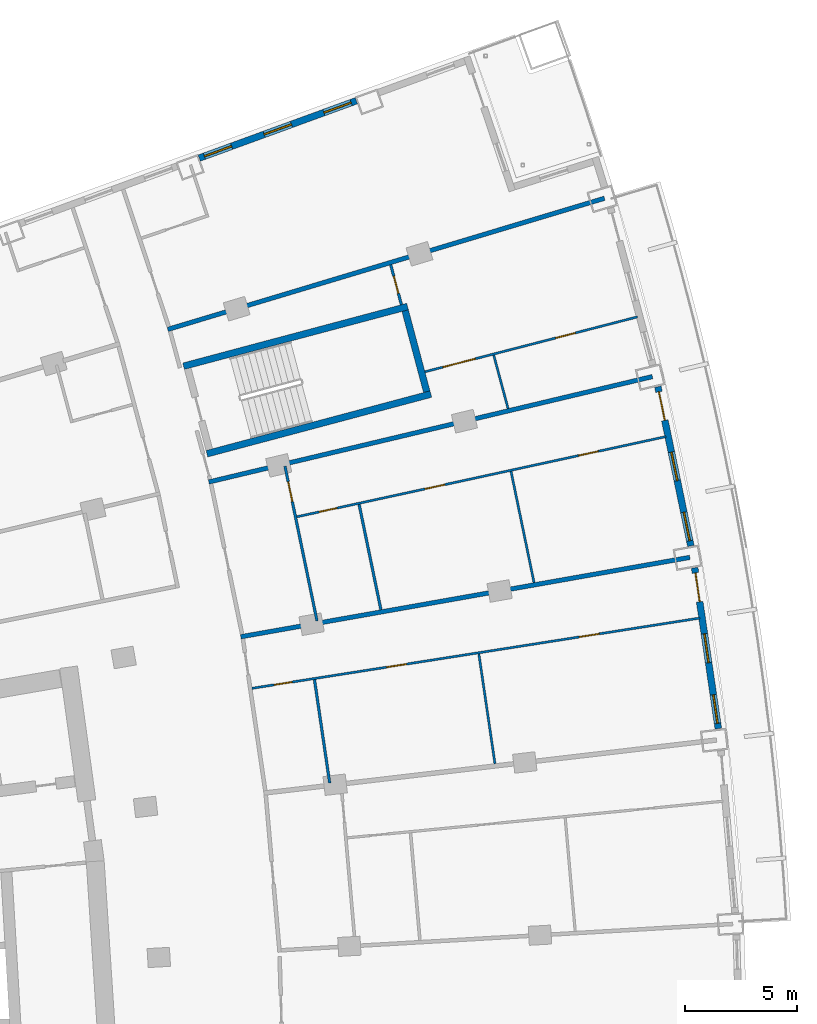
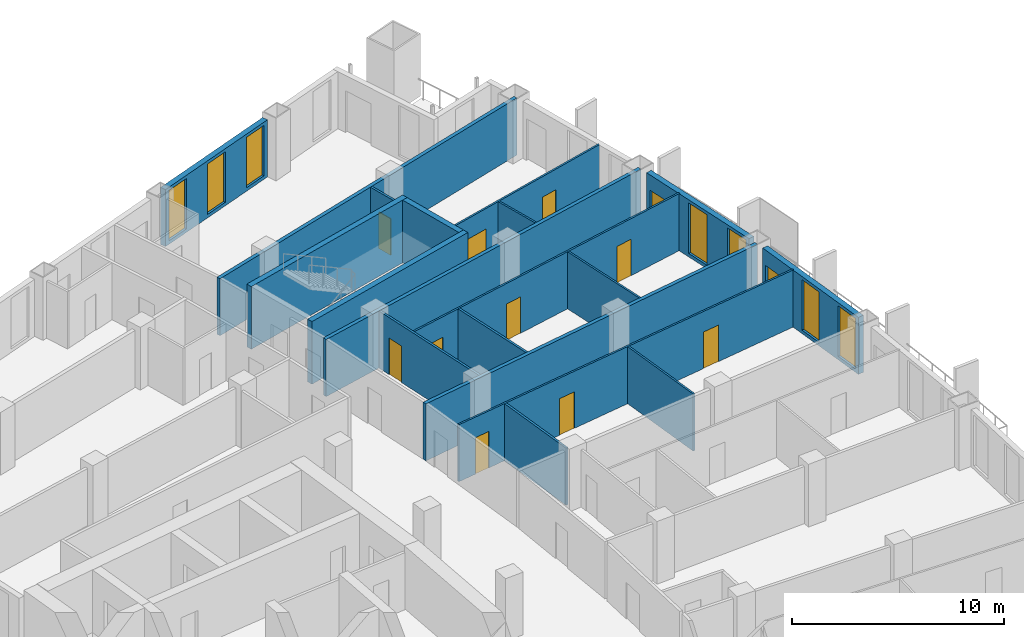
# One storey, part 20 of 24: 19 walls, 12 doors, 7 windows, 19 openings.
"""IFC4 building model written with IfcOpenShell, lengths in metres."""

from ifc_helpers import new_model, si_unit, direction, frame, frame_2d, origin, place, context, subcontext, project, spatial, rectangle, extrude, material, layer, layer_set, type_object, element, fill, save


model = new_model("IFC4")

# Units and contexts
model_context = context("Model", 3, precision=1e-05, world=origin(), true_north=direction((0.0, 1.0)))
body_context = subcontext(model_context, "Body", "Model", "MODEL_VIEW")
ifc_project = project(units=[si_unit("LENGTHUNIT", "METRE"), si_unit("AREAUNIT", "SQUARE_METRE"), si_unit("VOLUMEUNIT", "CUBIC_METRE"), si_unit("PLANEANGLEUNIT", "RADIAN"), si_unit("MASSUNIT", "GRAM", prefix="KILO")], contexts=[model_context])

# Site, building, storey
site_placement = place(None, origin())
site = spatial("IfcSite", under=ifc_project, at=site_placement, CompositionType="ELEMENT")
building_placement = place(site_placement, origin())
building = spatial("IfcBuilding", under=site, at=building_placement, Name="Alderwake Tower", CompositionType="ELEMENT")
storey_placement = place(building_placement, frame((0.0, 0.0, 96.800048828125)))
storey = spatial("IfcBuildingStorey", under=building, at=storey_placement, Name="L23", CompositionType="ELEMENT", Elevation=96.800048828125)

# Walls
ifc_material_1 = material(Name="Concrete C70/85", Category="concrete")
ifc_layer_1 = layer(ifc_material_1, 0.300048828125)
ifc_layer_set_1 = layer_set([ifc_layer_1], Name="Core wall stair enclosure 300 C70-85")
wall_type_1 = type_object("IfcWallType", Name="Core wall stair enclosure 300 C70-85", PredefinedType="SHEAR", material=ifc_layer_set_1)
for number, where, z_axis, x_axis, name in (
    (1, (36.71142578125, 94.182373046875, 0.0), (0.0, 0.0, 1.0), (0.966309214305, 0.257383958996, 0.0), "Core wall CW.082"),
    (2, (37.75390625, 90.268798828125, 0.0), (0.0, 0.0, 1.0), (0.966309214305, 0.257383958996, 0.0), "Core wall CW.084"),
):
    element("IfcWall", number, at=place(storey_placement, frame(where, z_axis=z_axis, x_axis=x_axis)), inside=storey, type_object=wall_type_1, Name=name, PredefinedType="SHEAR", context=body_context, shape_type="SweptSolid", body=[
        extrude(rectangle(XDim=10.360107421875, YDim=0.300048828125, at=frame_2d((5.18017578125, 0.0))), origin(), (0.0, 0.0, 1.0), 3.599853515625),
    ])
wall_1_placement = place(storey_placement, frame((47.581298828125, 93.041748046875, 0.0), z_axis=(0.0, 0.0, 1.0), x_axis=(-0.257366821694, 0.966313778796, 0.0)))
element("IfcWall", 3, at=wall_1_placement, inside=storey, type_object=wall_type_1, Name="Core wall CW.081", PredefinedType="SHEAR", context=body_context, shape_type="SweptSolid", body=[
    extrude(rectangle(XDim=3.749755859375, YDim=0.300048828125, at=frame_2d((1.875, 0.0))), origin(), (0.0, 0.0, 1.0), 3.599853515625),
])

# Wall, openings, door, windows
ifc_material_2 = material(Name="Precast concrete C50/60 spandrel panel", Category="concrete")
ifc_layer_2 = layer(ifc_material_2, 0.300048828125)
ifc_layer_set_2 = layer_set([ifc_layer_2], Name="External wall EW1 Precast concrete C50/60 spandrel")
wall_type_2 = type_object("IfcWallType", Name="External wall EW1 Precast concrete C50/60 spandrel", PredefinedType="SOLIDWALL", material=ifc_layer_set_2)
wall_2_placement = place(storey_placement, frame((60.614501953125, 77.98193359375, 0.0), z_axis=(0.0, 0.0, 1.0), x_axis=(-0.145325629986, 0.989383879629, 0.0)))
wall_2 = element("IfcWall", 4, at=wall_2_placement, inside=storey, type_object=wall_type_2, Name="External wall 19", PredefinedType="SOLIDWALL", context=body_context, shape_type="SweptSolid", body=[
    extrude(rectangle(XDim=7.26416015625, YDim=0.300048828125, at=frame_2d((3.632080078125, 0.0))), origin(), (0.0, 0.0, 1.0), 3.280029296875),
])
opening_1_placement = place(wall_2_placement, frame((0.23291015625, 0.0, 0.199951171875)))
opening_1 = element("IfcOpeningElement", 5, at=opening_1_placement, cuts=wall_2, Name="Opening W1", PredefinedType="OPENING", context=body_context, shape_type="SweptSolid", body=[
    extrude(rectangle(XDim=1.300048828125, YDim=2.89990234375, at=frame_2d((0.64990234375, 1.449951171875))), frame((0.0, 0.159912109375, 0.0), z_axis=(0.0, -1.0, 0.0), x_axis=(1.0, 0.0, 0.0)), (0.0, 0.0, 1.0), 0.320068359375),
])
opening_2_placement = place(wall_2_placement, frame((2.98193359375, 0.0, 0.199951171875)))
opening_2 = element("IfcOpeningElement", 6, at=opening_2_placement, cuts=wall_2, Name="Opening W1", PredefinedType="OPENING", context=body_context, shape_type="SweptSolid", body=[
    extrude(rectangle(XDim=1.300048828125, YDim=2.89990234375, at=frame_2d((0.64990234375, 1.449951171875))), frame((0.0, 0.159912109375, 0.0), z_axis=(0.0, -1.0, 0.0), x_axis=(1.0, 0.0, 0.0)), (0.0, 0.0, 1.0), 0.320068359375),
])
opening_3_placement = place(wall_2_placement, frame((5.731201171875, 0.0, 0.0)))
opening_3 = element("IfcOpeningElement", 7, at=opening_3_placement, cuts=wall_2, Name="Opening D09", PredefinedType="OPENING", context=body_context, shape_type="SweptSolid", body=[
    extrude(rectangle(XDim=1.300048828125, YDim=2.39990234375, at=frame_2d((0.64990234375, 1.199951171875))), frame((0.0, 0.159912109375, 0.0), z_axis=(0.0, -1.0, 0.0), x_axis=(1.0, 0.0, 0.0)), (0.0, 0.0, 1.0), 0.320068359375),
])
ifc_material_3 = material(Name="Bronze tinted glass in aluminium frame", Category="aluminium")
door_type_1 = type_object("IfcDoorType", Name="Balcony door BD sliding", OperationType="SLIDING_TO_LEFT", PredefinedType="DOOR", material=ifc_material_3)
door_1_placement = place(opening_3_placement, origin())
door_1 = element("IfcDoor", 8, at=door_1_placement, inside=storey, type_object=door_type_1, Name="Door D09", OperationType="SLIDING_TO_LEFT", OverallHeight=2.39990234375, OverallWidth=1.300048828125, PredefinedType="DOOR", context=body_context, shape_type="SweptSolid", body=[
    extrude(rectangle(XDim=1.300048828125, YDim=2.39990234375, at=frame_2d((0.64990234375, 1.199951171875))), frame((0.0, 0.02490234375, 0.0), z_axis=(0.0, -1.0, 0.0), x_axis=(1.0, 0.0, 0.0)), (0.0, 0.0, 1.0), 0.050048828125),
])
fill(opening_3, door_1)
ifc_material_4 = material(Name="Bronze tinted glass in aluminium frame", Category="aluminium")
window_type = type_object("IfcWindowType", Name="Window W1 tall fixed and vent", PartitioningType="DOUBLE_PANEL_VERTICAL", PredefinedType="WINDOW", material=ifc_material_4)
window_1_placement = place(opening_1_placement, origin())
window_1 = element("IfcWindow", 9, at=window_1_placement, inside=storey, type_object=window_type, Name="Window W1 tall fixed and vent", OverallHeight=2.89990234375, OverallWidth=1.300048828125, PartitioningType="DOUBLE_PANEL_VERTICAL", PredefinedType="WINDOW", context=body_context, shape_type="SweptSolid", body=[
    extrude(rectangle(XDim=1.300048828125, YDim=2.89990234375, at=frame_2d((0.64990234375, 1.449951171875))), frame((0.0, 0.030029296875, 0.0), z_axis=(0.0, -1.0, 0.0), x_axis=(1.0, 0.0, 0.0)), (0.0, 0.0, 1.0), 0.06005859375),
])
fill(opening_1, window_1)
window_2_placement = place(opening_2_placement, origin())
window_2 = element("IfcWindow", 10, at=window_2_placement, inside=storey, type_object=window_type, Name="Window W1 tall fixed and vent", OverallHeight=2.89990234375, OverallWidth=1.300048828125, PartitioningType="DOUBLE_PANEL_VERTICAL", PredefinedType="WINDOW", context=body_context, shape_type="SweptSolid", body=[
    extrude(rectangle(XDim=1.300048828125, YDim=2.89990234375, at=frame_2d((0.64990234375, 1.449951171875))), frame((0.0, 0.030029296875, 0.0), z_axis=(0.0, -1.0, 0.0), x_axis=(1.0, 0.0, 0.0)), (0.0, 0.0, 1.0), 0.06005859375),
])
fill(opening_2, window_2)

wall_3_placement = place(storey_placement, frame((59.38525390625, 86.15087890625, 0.0), z_axis=(0.0, 0.0, 1.0), x_axis=(-0.20273007486, 0.979234658673, 0.0)))
wall_3 = element("IfcWall", 11, at=wall_3_placement, inside=storey, type_object=wall_type_2, Name="External wall 20", PredefinedType="SOLIDWALL", context=body_context, shape_type="SweptSolid", body=[
    extrude(rectangle(XDim=7.26416015625, YDim=0.300048828125, at=frame_2d((3.632080078125, 0.0))), origin(), (0.0, 0.0, 1.0), 3.280029296875),
])
opening_4_placement = place(wall_3_placement, frame((0.23291015625, 0.0, 0.199951171875)))
opening_4 = element("IfcOpeningElement", 12, at=opening_4_placement, cuts=wall_3, Name="Opening W1", PredefinedType="OPENING", context=body_context, shape_type="SweptSolid", body=[
    extrude(rectangle(XDim=1.300048828125, YDim=2.89990234375, at=frame_2d((0.64990234375, 1.449951171875))), frame((0.0, 0.159912109375, 0.0), z_axis=(0.0, -1.0, 0.0), x_axis=(1.0, 0.0, 0.0)), (0.0, 0.0, 1.0), 0.320068359375),
])
opening_5_placement = place(wall_3_placement, frame((2.98193359375, 0.0, 0.199951171875)))
opening_5 = element("IfcOpeningElement", 13, at=opening_5_placement, cuts=wall_3, Name="Opening W1", PredefinedType="OPENING", context=body_context, shape_type="SweptSolid", body=[
    extrude(rectangle(XDim=1.300048828125, YDim=2.89990234375, at=frame_2d((0.64990234375, 1.449951171875))), frame((0.0, 0.159912109375, 0.0), z_axis=(0.0, -1.0, 0.0), x_axis=(1.0, 0.0, 0.0)), (0.0, 0.0, 1.0), 0.320068359375),
])
opening_6_placement = place(wall_3_placement, frame((5.731201171875, 0.0, 0.0)))
opening_6 = element("IfcOpeningElement", 14, at=opening_6_placement, cuts=wall_3, Name="Opening D10", PredefinedType="OPENING", context=body_context, shape_type="SweptSolid", body=[
    extrude(rectangle(XDim=1.300048828125, YDim=2.39990234375, at=frame_2d((0.64990234375, 1.199951171875))), frame((0.0, 0.159912109375, 0.0), z_axis=(0.0, -1.0, 0.0), x_axis=(1.0, 0.0, 0.0)), (0.0, 0.0, 1.0), 0.320068359375),
])
door_2_placement = place(opening_6_placement, origin())
door_2 = element("IfcDoor", 15, at=door_2_placement, inside=storey, type_object=door_type_1, Name="Door D10", OperationType="SLIDING_TO_LEFT", OverallHeight=2.39990234375, OverallWidth=1.300048828125, PredefinedType="DOOR", context=body_context, shape_type="SweptSolid", body=[
    extrude(rectangle(XDim=1.300048828125, YDim=2.39990234375, at=frame_2d((0.64990234375, 1.199951171875))), frame((0.0, 0.02490234375, 0.0), z_axis=(0.0, -1.0, 0.0), x_axis=(1.0, 0.0, 0.0)), (0.0, 0.0, 1.0), 0.050048828125),
])
fill(opening_6, door_2)
window_3_placement = place(opening_4_placement, origin())
window_3 = element("IfcWindow", 16, at=window_3_placement, inside=storey, type_object=window_type, Name="Window W1 tall fixed and vent", OverallHeight=2.89990234375, OverallWidth=1.300048828125, PartitioningType="DOUBLE_PANEL_VERTICAL", PredefinedType="WINDOW", context=body_context, shape_type="SweptSolid", body=[
    extrude(rectangle(XDim=1.300048828125, YDim=2.89990234375, at=frame_2d((0.64990234375, 1.449951171875))), frame((0.0, 0.030029296875, 0.0), z_axis=(0.0, -1.0, 0.0), x_axis=(1.0, 0.0, 0.0)), (0.0, 0.0, 1.0), 0.06005859375),
])
fill(opening_4, window_3)
window_4_placement = place(opening_5_placement, origin())
window_4 = element("IfcWindow", 17, at=window_4_placement, inside=storey, type_object=window_type, Name="Window W1 tall fixed and vent", OverallHeight=2.89990234375, OverallWidth=1.300048828125, PartitioningType="DOUBLE_PANEL_VERTICAL", PredefinedType="WINDOW", context=body_context, shape_type="SweptSolid", body=[
    extrude(rectangle(XDim=1.300048828125, YDim=2.89990234375, at=frame_2d((0.64990234375, 1.449951171875))), frame((0.0, 0.030029296875, 0.0), z_axis=(0.0, -1.0, 0.0), x_axis=(1.0, 0.0, 0.0)), (0.0, 0.0, 1.0), 0.06005859375),
])
fill(opening_5, window_4)

# Wall, openings, windows
ifc_material_5 = material(Name="Bronze metal cladding on lightweight framing")
ifc_layer_3 = layer(ifc_material_5, 0.300048828125)
ifc_layer_set_3 = layer_set([ifc_layer_3], Name="External wall EW2 bronze metal cladding")
wall_type_3 = type_object("IfcWallType", Name="External wall EW2 bronze metal cladding", PredefinedType="SOLIDWALL", material=ifc_layer_set_3)
wall_4_placement = place(storey_placement, frame((44.43505859375, 106.0498046875, 0.0), z_axis=(0.0, 0.0, 1.0), x_axis=(-0.939370505087, -0.342903855582, 0.0)))
wall_4 = element("IfcWall", 18, at=wall_4_placement, inside=storey, type_object=wall_type_3, Name="External wall 26", PredefinedType="SOLIDWALL", context=body_context, shape_type="SweptSolid", body=[
    extrude(rectangle(XDim=7.479248046875, YDim=0.300048828125, at=frame_2d((3.73974609375, 0.0))), origin(), (0.0, 0.0, 1.0), 3.280029296875),
])
opening_7_placement = place(wall_4_placement, frame((0.245361328125, 0.0, 0.199951171875)))
opening_7 = element("IfcOpeningElement", 19, at=opening_7_placement, cuts=wall_4, Name="Opening W1", PredefinedType="OPENING", context=body_context, shape_type="SweptSolid", body=[
    extrude(rectangle(XDim=1.300048828125, YDim=2.89990234375, at=frame_2d((0.64990234375, 1.449951171875))), frame((0.0, 0.159912109375, 0.0), z_axis=(0.0, -1.0, 0.0), x_axis=(1.0, 0.0, 0.0)), (0.0, 0.0, 1.0), 0.320068359375),
])
opening_8_placement = place(wall_4_placement, frame((3.08984375, 0.0, 0.199951171875)))
opening_8 = element("IfcOpeningElement", 20, at=opening_8_placement, cuts=wall_4, Name="Opening W1", PredefinedType="OPENING", context=body_context, shape_type="SweptSolid", body=[
    extrude(rectangle(XDim=1.300048828125, YDim=2.89990234375, at=frame_2d((0.64990234375, 1.449951171875))), frame((0.0, 0.159912109375, 0.0), z_axis=(0.0, -1.0, 0.0), x_axis=(1.0, 0.0, 0.0)), (0.0, 0.0, 1.0), 0.320068359375),
])
opening_9_placement = place(wall_4_placement, frame((5.934326171875, 0.0, 0.199951171875)))
opening_9 = element("IfcOpeningElement", 21, at=opening_9_placement, cuts=wall_4, Name="Opening W1", PredefinedType="OPENING", context=body_context, shape_type="SweptSolid", body=[
    extrude(rectangle(XDim=1.300048828125, YDim=2.89990234375, at=frame_2d((0.64990234375, 1.449951171875))), frame((0.0, 0.159912109375, 0.0), z_axis=(0.0, -1.0, 0.0), x_axis=(1.0, 0.0, 0.0)), (0.0, 0.0, 1.0), 0.320068359375),
])
window_5_placement = place(opening_7_placement, origin())
window_5 = element("IfcWindow", 22, at=window_5_placement, inside=storey, type_object=window_type, Name="Window W1 tall fixed and vent", OverallHeight=2.89990234375, OverallWidth=1.300048828125, PartitioningType="DOUBLE_PANEL_VERTICAL", PredefinedType="WINDOW", context=body_context, shape_type="SweptSolid", body=[
    extrude(rectangle(XDim=1.300048828125, YDim=2.89990234375, at=frame_2d((0.64990234375, 1.449951171875))), frame((0.0, 0.030029296875, 0.0), z_axis=(0.0, -1.0, 0.0), x_axis=(1.0, 0.0, 0.0)), (0.0, 0.0, 1.0), 0.06005859375),
])
fill(opening_7, window_5)
window_6_placement = place(opening_8_placement, origin())
window_6 = element("IfcWindow", 23, at=window_6_placement, inside=storey, type_object=window_type, Name="Window W1 tall fixed and vent", OverallHeight=2.89990234375, OverallWidth=1.300048828125, PartitioningType="DOUBLE_PANEL_VERTICAL", PredefinedType="WINDOW", context=body_context, shape_type="SweptSolid", body=[
    extrude(rectangle(XDim=1.300048828125, YDim=2.89990234375, at=frame_2d((0.64990234375, 1.449951171875))), frame((0.0, 0.030029296875, 0.0), z_axis=(0.0, -1.0, 0.0), x_axis=(1.0, 0.0, 0.0)), (0.0, 0.0, 1.0), 0.06005859375),
])
fill(opening_8, window_6)
window_7_placement = place(opening_9_placement, origin())
window_7 = element("IfcWindow", 24, at=window_7_placement, inside=storey, type_object=window_type, Name="Window W1 tall fixed and vent", OverallHeight=2.89990234375, OverallWidth=1.300048828125, PartitioningType="DOUBLE_PANEL_VERTICAL", PredefinedType="WINDOW", context=body_context, shape_type="SweptSolid", body=[
    extrude(rectangle(XDim=1.300048828125, YDim=2.89990234375, at=frame_2d((0.64990234375, 1.449951171875))), frame((0.0, 0.030029296875, 0.0), z_axis=(0.0, -1.0, 0.0), x_axis=(1.0, 0.0, 0.0)), (0.0, 0.0, 1.0), 0.06005859375),
])
fill(opening_9, window_7)

# Walls
ifc_material_6 = material(Name="Dense block masonry wall", Category="masonry")
ifc_layer_4 = layer(ifc_material_6, 0.199951171875)
ifc_layer_set_4 = layer_set([ifc_layer_4], Name="Party wall 200")
wall_type_4 = type_object("IfcWallType", Name="Party wall 200", PredefinedType="SOLIDWALL", material=ifc_layer_set_4)
wall_5_placement = place(storey_placement, frame((37.839111328125, 89.006591796875, 0.0), z_axis=(0.0, 0.0, 1.0), x_axis=(0.972919344177, 0.231144867402, 0.0)))
element("IfcWall", 25, at=wall_5_placement, inside=storey, type_object=wall_type_4, Name="WL/L23/W07", PredefinedType="SOLIDWALL", context=body_context, shape_type="SweptSolid", body=[
    extrude(rectangle(XDim=20.378662109375, YDim=0.199951171875, at=frame_2d((10.189453125, 0.0))), origin(), (0.0, 0.0, 1.0), 3.280029296875),
])
wall_6_placement = place(storey_placement, frame((39.269287109375, 82.087158203125, 0.0), z_axis=(0.0, 0.0, 1.0), x_axis=(0.984733595327, 0.174068222933, 0.0)))
element("IfcWall", 26, at=wall_6_placement, inside=storey, type_object=wall_type_4, Name="WL/L23/W08", PredefinedType="SOLIDWALL", context=body_context, shape_type="SweptSolid", body=[
    extrude(rectangle(XDim=20.382080078125, YDim=0.199951171875, at=frame_2d((10.19091796875, 0.0))), origin(), (0.0, 0.0, 1.0), 3.280029296875),
])
wall_7_placement = place(storey_placement, frame((55.52392578125, 101.68798828125, 0.0), z_axis=(0.0, 0.0, 1.0), x_axis=(-0.957755700348, -0.287583063566, 0.0)))
element("IfcWall", 27, at=wall_7_placement, inside=storey, type_object=wall_type_4, Name="WL/L23/W09", PredefinedType="SOLIDWALL", context=body_context, shape_type="SweptSolid", body=[
    extrude(rectangle(XDim=20.38037109375, YDim=0.199951171875, at=frame_2d((10.190185546875, 0.0))), origin(), (0.0, 0.0, 1.0), 3.280029296875),
])

# Wall, openings, doors
ifc_material_7 = material(Name="Gypsum board on metal studs")
ifc_layer_5 = layer(ifc_material_7, 0.10009765625)
ifc_layer_set_5 = layer_set([ifc_layer_5], Name="Unit partition 100")
wall_type_5 = type_object("IfcWallType", Name="Unit partition 100", PredefinedType="PARTITIONING", material=ifc_layer_set_5)
wall_8_placement = place(storey_placement, frame((59.787109375, 82.923095703125, 0.0), z_axis=(0.0, 0.0, 1.0), x_axis=(-0.987915475179, -0.154993593101, 0.0)))
wall_8 = element("IfcWall", 28, at=wall_8_placement, inside=storey, type_object=wall_type_5, Name="WL/L23/W72", PredefinedType="PARTITIONING", context=body_context, shape_type="SweptSolid", body=[
    extrude(rectangle(XDim=20.262939453125, YDim=0.10009765625, at=frame_2d((10.13134765625, 0.0))), origin(), (0.0, 0.0, 1.0), 3.280029296875),
])
opening_10_placement = place(wall_8_placement, frame((13.2744140625, 0.0, 0.0)))
opening_10 = element("IfcOpeningElement", 29, at=opening_10_placement, cuts=wall_8, Name="Opening R06-U10.1", PredefinedType="OPENING", context=body_context, shape_type="SweptSolid", body=[
    extrude(rectangle(XDim=0.89990234375, YDim=2.10009765625, at=frame_2d((0.449951171875, 1.050048828125))), frame((0.0, 0.06005859375, 0.0), z_axis=(0.0, -1.0, 0.0), x_axis=(1.0, 0.0, 0.0)), (0.0, 0.0, 1.0), 0.1201171875),
])
opening_11_placement = place(wall_8_placement, frame((18.45263671875, 0.0, 0.0)))
opening_11 = element("IfcOpeningElement", 30, at=opening_11_placement, cuts=wall_8, Name="Opening R06-U10.3", PredefinedType="OPENING", context=body_context, shape_type="SweptSolid", body=[
    extrude(rectangle(XDim=0.800048828125, YDim=2.10009765625, at=frame_2d((0.39990234375, 1.050048828125))), frame((0.0, 0.06005859375, 0.0), z_axis=(0.0, -1.0, 0.0), x_axis=(1.0, 0.0, 0.0)), (0.0, 0.0, 1.0), 0.1201171875),
])
opening_12_placement = place(wall_8_placement, frame((4.552978515625, 0.0, 0.0)))
opening_12 = element("IfcOpeningElement", 31, at=opening_12_placement, cuts=wall_8, Name="Opening R06-U10.4", PredefinedType="OPENING", context=body_context, shape_type="SweptSolid", body=[
    extrude(rectangle(XDim=0.89990234375, YDim=2.10009765625, at=frame_2d((0.449951171875, 1.050048828125))), frame((0.0, 0.06005859375, 0.0), z_axis=(0.0, -1.0, 0.0), x_axis=(1.0, 0.0, 0.0)), (0.0, 0.0, 1.0), 0.1201171875),
])
ifc_material_8 = material(Name="Painted timber leaf", Category="wood")
door_type_2 = type_object("IfcDoorType", Name="Bathroom door 800", OperationType="SINGLE_SWING_LEFT", PredefinedType="DOOR", material=ifc_material_8)
door_3_placement = place(opening_11_placement, origin())
door_3 = element("IfcDoor", 32, at=door_3_placement, inside=storey, type_object=door_type_2, Name="DR/L23/U10.3", OperationType="SINGLE_SWING_LEFT", OverallHeight=2.10009765625, OverallWidth=0.800048828125, PredefinedType="DOOR", context=body_context, shape_type="SweptSolid", body=[
    extrude(rectangle(XDim=0.800048828125, YDim=2.10009765625, at=frame_2d((0.39990234375, 1.050048828125))), frame((0.0, 0.02490234375, 0.0), z_axis=(0.0, -1.0, 0.0), x_axis=(1.0, 0.0, 0.0)), (0.0, 0.0, 1.0), 0.050048828125),
])
fill(opening_11, door_3)
ifc_material_9 = material(Name="Painted timber leaf", Category="wood")
door_type_3 = type_object("IfcDoorType", Name="Room door 900", OperationType="SINGLE_SWING_LEFT", PredefinedType="DOOR", material=ifc_material_9)
door_4_placement = place(opening_10_placement, origin())
door_4 = element("IfcDoor", 33, at=door_4_placement, inside=storey, type_object=door_type_3, Name="DR/L23/U10.1", OperationType="SINGLE_SWING_LEFT", OverallHeight=2.10009765625, OverallWidth=0.89990234375, PredefinedType="DOOR", context=body_context, shape_type="SweptSolid", body=[
    extrude(rectangle(XDim=0.89990234375, YDim=2.10009765625, at=frame_2d((0.449951171875, 1.050048828125))), frame((0.0, 0.02490234375, 0.0), z_axis=(0.0, -1.0, 0.0), x_axis=(1.0, 0.0, 0.0)), (0.0, 0.0, 1.0), 0.050048828125),
])
fill(opening_10, door_4)
door_5_placement = place(opening_12_placement, origin())
door_5 = element("IfcDoor", 34, at=door_5_placement, inside=storey, type_object=door_type_3, Name="DR/L23/U10.4", OperationType="SINGLE_SWING_LEFT", OverallHeight=2.10009765625, OverallWidth=0.89990234375, PredefinedType="DOOR", context=body_context, shape_type="SweptSolid", body=[
    extrude(rectangle(XDim=0.89990234375, YDim=2.10009765625, at=frame_2d((0.449951171875, 1.050048828125))), frame((0.0, 0.02490234375, 0.0), z_axis=(0.0, -1.0, 0.0), x_axis=(1.0, 0.0, 0.0)), (0.0, 0.0, 1.0), 0.050048828125),
])
fill(opening_12, door_5)

wall_9_placement = place(storey_placement, frame((58.27197265625, 91.034912109375, 0.0), z_axis=(0.0, 0.0, 1.0), x_axis=(-0.977205328279, -0.212296364509, 0.0)))
wall_9 = element("IfcWall", 35, at=wall_9_placement, inside=storey, type_object=wall_type_5, Name="WL/L23/W75", PredefinedType="PARTITIONING", context=body_context, shape_type="SweptSolid", body=[
    extrude(rectangle(XDim=16.883056640625, YDim=0.10009765625, at=frame_2d((8.44140625, 0.0))), origin(), (0.0, 0.0, 1.0), 3.280029296875),
])
opening_13_placement = place(wall_9_placement, frame((10.119873046875, 0.0, 0.0)))
opening_13 = element("IfcOpeningElement", 36, at=opening_13_placement, cuts=wall_9, Name="Opening R06-U11.1", PredefinedType="OPENING", context=body_context, shape_type="SweptSolid", body=[
    extrude(rectangle(XDim=0.89990234375, YDim=2.10009765625, at=frame_2d((0.449951171875, 1.050048828125))), frame((0.0, 0.06005859375, 0.0), z_axis=(0.0, -1.0, 0.0), x_axis=(1.0, 0.0, 0.0)), (0.0, 0.0, 1.0), 0.1201171875),
])
opening_14_placement = place(wall_9_placement, frame((15.06396484375, 0.0, 0.0)))
opening_14 = element("IfcOpeningElement", 37, at=opening_14_placement, cuts=wall_9, Name="Opening R06-U11.4", PredefinedType="OPENING", context=body_context, shape_type="SweptSolid", body=[
    extrude(rectangle(XDim=0.800048828125, YDim=2.10009765625, at=frame_2d((0.39990234375, 1.050048828125))), frame((0.0, 0.06005859375, 0.0), z_axis=(0.0, -1.0, 0.0), x_axis=(1.0, 0.0, 0.0)), (0.0, 0.0, 1.0), 0.1201171875),
])
opening_15_placement = place(wall_9_placement, frame((3.097412109375, 0.0, 0.0)))
opening_15 = element("IfcOpeningElement", 38, at=opening_15_placement, cuts=wall_9, Name="Opening R06-U11.5", PredefinedType="OPENING", context=body_context, shape_type="SweptSolid", body=[
    extrude(rectangle(XDim=0.89990234375, YDim=2.10009765625, at=frame_2d((0.449951171875, 1.050048828125))), frame((0.0, 0.06005859375, 0.0), z_axis=(0.0, -1.0, 0.0), x_axis=(1.0, 0.0, 0.0)), (0.0, 0.0, 1.0), 0.1201171875),
])
door_6_placement = place(opening_14_placement, origin())
door_6 = element("IfcDoor", 39, at=door_6_placement, inside=storey, type_object=door_type_2, Name="DR/L23/U11.4", OperationType="SINGLE_SWING_LEFT", OverallHeight=2.10009765625, OverallWidth=0.800048828125, PredefinedType="DOOR", context=body_context, shape_type="SweptSolid", body=[
    extrude(rectangle(XDim=0.800048828125, YDim=2.10009765625, at=frame_2d((0.39990234375, 1.050048828125))), frame((0.0, 0.02490234375, 0.0), z_axis=(0.0, -1.0, 0.0), x_axis=(1.0, 0.0, 0.0)), (0.0, 0.0, 1.0), 0.050048828125),
])
fill(opening_14, door_6)
door_7_placement = place(opening_13_placement, origin())
door_7 = element("IfcDoor", 40, at=door_7_placement, inside=storey, type_object=door_type_3, Name="DR/L23/U11.1", OperationType="SINGLE_SWING_LEFT", OverallHeight=2.10009765625, OverallWidth=0.89990234375, PredefinedType="DOOR", context=body_context, shape_type="SweptSolid", body=[
    extrude(rectangle(XDim=0.89990234375, YDim=2.10009765625, at=frame_2d((0.449951171875, 1.050048828125))), frame((0.0, 0.02490234375, 0.0), z_axis=(0.0, -1.0, 0.0), x_axis=(1.0, 0.0, 0.0)), (0.0, 0.0, 1.0), 0.050048828125),
])
fill(opening_13, door_7)
door_8_placement = place(opening_15_placement, origin())
door_8 = element("IfcDoor", 41, at=door_8_placement, inside=storey, type_object=door_type_3, Name="DR/L23/U11.5", OperationType="SINGLE_SWING_LEFT", OverallHeight=2.10009765625, OverallWidth=0.89990234375, PredefinedType="DOOR", context=body_context, shape_type="SweptSolid", body=[
    extrude(rectangle(XDim=0.89990234375, YDim=2.10009765625, at=frame_2d((0.449951171875, 1.050048828125))), frame((0.0, 0.02490234375, 0.0), z_axis=(0.0, -1.0, 0.0), x_axis=(1.0, 0.0, 0.0)), (0.0, 0.0, 1.0), 0.050048828125),
])
fill(opening_15, door_8)

wall_10_placement = place(storey_placement, frame((47.4990234375, 93.93310546875, 0.0), z_axis=(0.0, 0.0, 1.0), x_axis=(0.968228176194, 0.250068388296, 0.0)))
wall_10 = element("IfcWall", 42, at=wall_10_placement, inside=storey, type_object=wall_type_5, Name="WL/L23/W80", PredefinedType="PARTITIONING", context=body_context, shape_type="SweptSolid", body=[
    extrude(rectangle(XDim=9.812744140625, YDim=0.10009765625, at=frame_2d((4.90625, 0.0))), origin(), (0.0, 0.0, 1.0), 3.280029296875),
])
opening_16_placement = place(wall_10_placement, frame((0.831787109375, 0.0, 0.0)))
opening_16 = element("IfcOpeningElement", 43, at=opening_16_placement, cuts=wall_10, Name="Opening R06-U02.2", PredefinedType="OPENING", context=body_context, shape_type="SweptSolid", body=[
    extrude(rectangle(XDim=1.5, YDim=2.10009765625, at=frame_2d((0.75, 1.050048828125))), frame((0.0, 0.06005859375, 0.0), z_axis=(0.0, -1.0, 0.0), x_axis=(1.0, 0.0, 0.0)), (0.0, 0.0, 1.0), 0.1201171875),
])
opening_17_placement = place(wall_10_placement, frame((6.0380859375, 0.0, 0.0)))
opening_17 = element("IfcOpeningElement", 44, at=opening_17_placement, cuts=wall_10, Name="Opening R06-U02.3", PredefinedType="OPENING", context=body_context, shape_type="SweptSolid", body=[
    extrude(rectangle(XDim=0.89990234375, YDim=2.10009765625, at=frame_2d((0.449951171875, 1.050048828125))), frame((0.0, 0.06005859375, 0.0), z_axis=(0.0, -1.0, 0.0), x_axis=(1.0, 0.0, 0.0)), (0.0, 0.0, 1.0), 0.1201171875),
])
ifc_material_10 = material(Name="Painted timber leaves", Category="wood")
door_type_4 = type_object("IfcDoorType", Name="Double leaf door 1500", OperationType="DOUBLE_DOOR_SINGLE_SWING", PredefinedType="DOOR", material=ifc_material_10)
door_9_placement = place(opening_16_placement, origin())
door_9 = element("IfcDoor", 45, at=door_9_placement, inside=storey, type_object=door_type_4, Name="DR/L23/U02.2", OperationType="DOUBLE_DOOR_SINGLE_SWING", OverallHeight=2.10009765625, OverallWidth=1.5, PredefinedType="DOOR", context=body_context, shape_type="SweptSolid", body=[
    extrude(rectangle(XDim=1.5, YDim=2.10009765625, at=frame_2d((0.75, 1.050048828125))), frame((0.0, 0.02490234375, 0.0), z_axis=(0.0, -1.0, 0.0), x_axis=(1.0, 0.0, 0.0)), (0.0, 0.0, 1.0), 0.050048828125),
])
fill(opening_16, door_9)
door_10_placement = place(opening_17_placement, origin())
door_10 = element("IfcDoor", 46, at=door_10_placement, inside=storey, type_object=door_type_3, Name="DR/L23/U02.3", OperationType="SINGLE_SWING_LEFT", OverallHeight=2.10009765625, OverallWidth=0.89990234375, PredefinedType="DOOR", context=body_context, shape_type="SweptSolid", body=[
    extrude(rectangle(XDim=0.89990234375, YDim=2.10009765625, at=frame_2d((0.449951171875, 1.050048828125))), frame((0.0, 0.02490234375, 0.0), z_axis=(0.0, -1.0, 0.0), x_axis=(1.0, 0.0, 0.0)), (0.0, 0.0, 1.0), 0.050048828125),
])
fill(opening_17, door_10)

# Walls
wall_11_placement = place(storey_placement, frame((50.63134765625, 76.409912109375, 0.0), z_axis=(0.0, 0.0, 1.0), x_axis=(-0.145440200606, 0.989367044149, 0.0)))
element("IfcWall", 47, at=wall_11_placement, inside=storey, type_object=wall_type_5, Name="WL/L23/W82", PredefinedType="PARTITIONING", context=body_context, shape_type="SweptSolid", body=[
    extrude(rectangle(XDim=4.96533203125, YDim=0.10009765625, at=frame_2d((2.482666015625, 0.0))), origin(), (0.0, 0.0, 1.0), 3.280029296875),
])
wall_12_placement = place(storey_placement, frame((51.217041015625, 92.28662109375, 0.0), z_axis=(0.0, 0.0, 1.0), x_axis=(-0.259442778972, 0.965758481422, 0.0)))
element("IfcWall", 48, at=wall_12_placement, inside=storey, type_object=wall_type_5, Name="WL/L23/W85", PredefinedType="PARTITIONING", context=body_context, shape_type="SweptSolid", body=[
    extrude(rectangle(XDim=2.474853515625, YDim=0.10009765625, at=frame_2d((1.2373046875, 0.0))), origin(), (0.0, 0.0, 1.0), 3.280029296875),
])
wall_13_placement = place(storey_placement, frame((52.377685546875, 84.506103515625, 0.0), z_axis=(0.0, 0.0, 1.0), x_axis=(-0.202508645779, 0.979280474831, 0.0)))
element("IfcWall", 49, at=wall_13_placement, inside=storey, type_object=wall_type_5, Name="WL/L23/W88", PredefinedType="PARTITIONING", context=body_context, shape_type="SweptSolid", body=[
    extrude(rectangle(XDim=5.0791015625, YDim=0.10009765625, at=frame_2d((2.53955078125, 0.0))), origin(), (0.0, 0.0, 1.0), 3.280029296875),
])

# Wall, opening, door
ifc_material_11 = material(Name="Moisture resistant gypsum board on metal studs")
ifc_layer_6 = layer(ifc_material_11, 0.1201171875)
ifc_layer_set_6 = layer_set([ifc_layer_6], Name="Wet room partition 120")
wall_type_6 = type_object("IfcWallType", Name="Wet room partition 120", PredefinedType="PARTITIONING", material=ifc_layer_set_6)
wall_14_placement = place(storey_placement, frame((41.243408203125, 89.712890625, 0.0), z_axis=(0.0, 0.0, 1.0), x_axis=(0.202695854643, -0.979241742631, 0.0)))
wall_14 = element("IfcWall", 50, at=wall_14_placement, inside=storey, type_object=wall_type_6, Name="WL/L23/W58", PredefinedType="PARTITIONING", context=body_context, shape_type="SweptSolid", body=[
    extrude(rectangle(XDim=7.066650390625, YDim=0.1201171875, at=frame_2d((3.533203125, 0.0))), origin(), (0.0, 0.0, 1.0), 3.280029296875),
])
opening_18_placement = place(wall_14_placement, frame((0.711669921875, 0.0, 0.0)))
opening_18 = element("IfcOpeningElement", 51, at=opening_18_placement, cuts=wall_14, Name="Opening R06-U11.3", PredefinedType="OPENING", context=body_context, shape_type="SweptSolid", body=[
    extrude(rectangle(XDim=0.89990234375, YDim=2.10009765625, at=frame_2d((0.449951171875, 1.050048828125))), frame((0.0, 0.070068359375, 0.0), z_axis=(0.0, -1.0, 0.0), x_axis=(1.0, 0.0, 0.0)), (0.0, 0.0, 1.0), 0.14013671875),
])
door_11_placement = place(opening_18_placement, origin())
door_11 = element("IfcDoor", 52, at=door_11_placement, inside=storey, type_object=door_type_3, Name="DR/L23/U11.3", OperationType="SINGLE_SWING_LEFT", OverallHeight=2.10009765625, OverallWidth=0.89990234375, PredefinedType="DOOR", context=body_context, shape_type="SweptSolid", body=[
    extrude(rectangle(XDim=0.89990234375, YDim=2.10009765625, at=frame_2d((0.449951171875, 1.050048828125))), frame((0.0, 0.02490234375, 0.0), z_axis=(0.0, -1.0, 0.0), x_axis=(1.0, 0.0, 0.0)), (0.0, 0.0, 1.0), 0.050048828125),
])
fill(opening_18, door_11)

# Walls
wall_15_placement = place(storey_placement, frame((43.242431640625, 75.5458984375, 0.0), z_axis=(0.0, 0.0, 1.0), x_axis=(-0.145515042, 0.989356039326, 0.0)))
element("IfcWall", 53, at=wall_15_placement, inside=storey, type_object=wall_type_6, Name="WL/L23/W61", PredefinedType="PARTITIONING", context=body_context, shape_type="SweptSolid", body=[
    extrude(rectangle(XDim=4.67431640625, YDim=0.1201171875, at=frame_2d((2.337158203125, 0.0))), origin(), (0.0, 0.0, 1.0), 3.280029296875),
])
wall_16_placement = place(storey_placement, frame((45.53173828125, 83.297119140625, 0.0), z_axis=(0.0, 0.0, 1.0), x_axis=(-0.202763480801, 0.979227742077, 0.0)))
element("IfcWall", 54, at=wall_16_placement, inside=storey, type_object=wall_type_6, Name="WL/L23/W66", PredefinedType="PARTITIONING", context=body_context, shape_type="SweptSolid", body=[
    extrude(rectangle(XDim=4.806640625, YDim=0.1201171875, at=frame_2d((2.4033203125, 0.0))), origin(), (0.0, 0.0, 1.0), 3.280029296875),
])

# Wall, opening, door
wall_17_placement = place(storey_placement, frame((46.448974609375, 96.929931640625, 0.0), z_axis=(0.0, 0.0, 1.0), x_axis=(-0.258764710752, 0.965940383497, 0.0)))
wall_17 = element("IfcWall", 55, at=wall_17_placement, inside=storey, type_object=wall_type_6, Name="WL/L23/W67", PredefinedType="PARTITIONING", context=body_context, shape_type="SweptSolid", body=[
    extrude(rectangle(XDim=1.847412109375, YDim=0.1201171875, at=frame_2d((0.923828125, 0.0))), origin(), (0.0, 0.0, 1.0), 3.280029296875),
])
opening_19_placement = place(wall_17_placement, frame((0.524169921875, 0.0, 0.0)))
opening_19 = element("IfcOpeningElement", 56, at=opening_19_placement, cuts=wall_17, Name="Opening R06-U02.4", PredefinedType="OPENING", context=body_context, shape_type="SweptSolid", body=[
    extrude(rectangle(XDim=0.800048828125, YDim=2.10009765625, at=frame_2d((0.39990234375, 1.050048828125))), frame((0.0, 0.070068359375, 0.0), z_axis=(0.0, -1.0, 0.0), x_axis=(1.0, 0.0, 0.0)), (0.0, 0.0, 1.0), 0.14013671875),
])
door_12_placement = place(opening_19_placement, origin())
door_12 = element("IfcDoor", 57, at=door_12_placement, inside=storey, type_object=door_type_2, Name="DR/L23/U02.4", OperationType="SINGLE_SWING_LEFT", OverallHeight=2.10009765625, OverallWidth=0.800048828125, PredefinedType="DOOR", context=body_context, shape_type="SweptSolid", body=[
    extrude(rectangle(XDim=0.800048828125, YDim=2.10009765625, at=frame_2d((0.39990234375, 1.050048828125))), frame((0.0, 0.02490234375, 0.0), z_axis=(0.0, -1.0, 0.0), x_axis=(1.0, 0.0, 0.0)), (0.0, 0.0, 1.0), 0.050048828125),
])
fill(opening_19, door_12)

save(model, "model.ifc")
